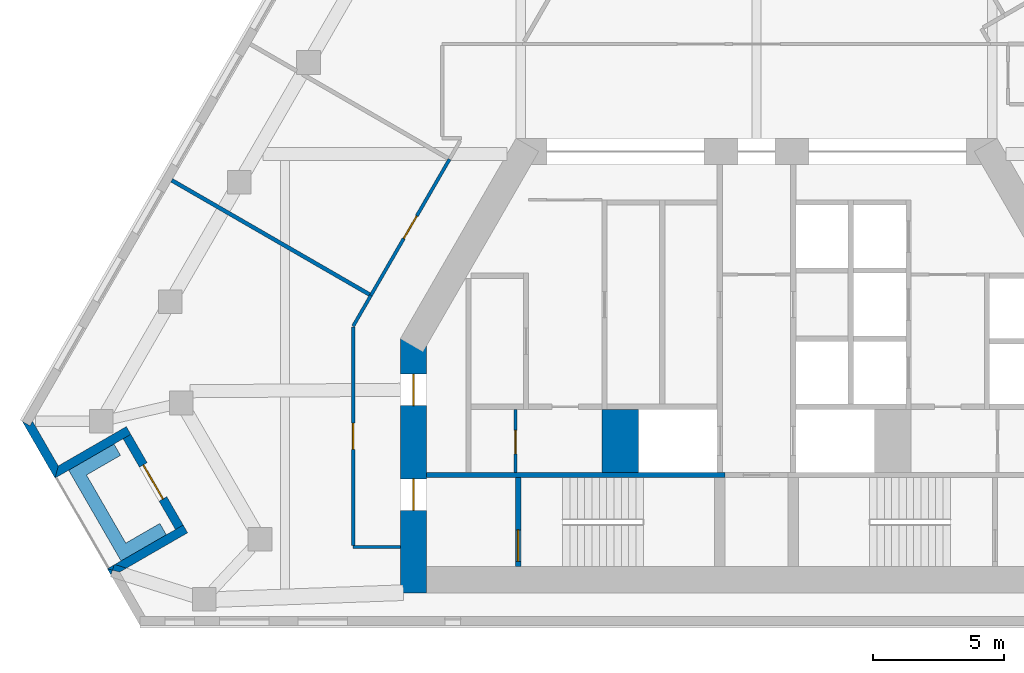
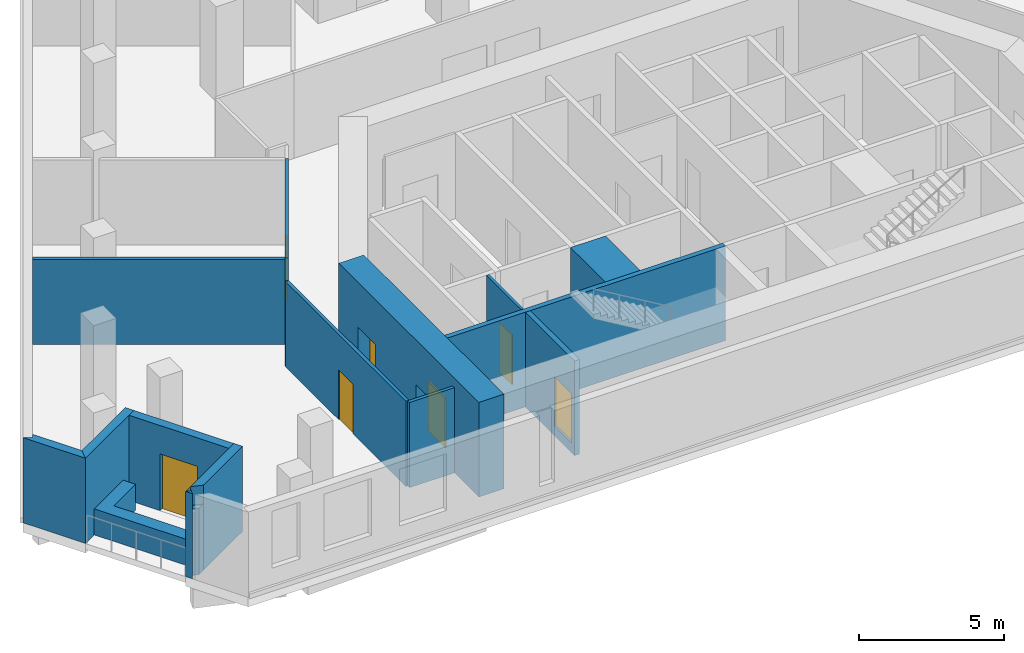
# One storey, part 3 of 9: 18 walls, 7 doors, 7 openings.
"""IFC4 building model written with IfcOpenShell, lengths in metres."""

from ifc_helpers import new_model, si_unit, direction, frame, frame_2d, origin, place, context, subcontext, project, spatial, polyline, rectangle, outline, extrude, material, layer, layer_set, type_object, element, fill, save


model = new_model("IFC4")

# Units and contexts
model_context = context("Model", 3, precision=1e-05, world=origin(), true_north=direction((0.0, 1.0)))
body_context = subcontext(model_context, "Body", "Model", "MODEL_VIEW")
ifc_project = project(units=[si_unit("LENGTHUNIT", "METRE"), si_unit("AREAUNIT", "SQUARE_METRE"), si_unit("VOLUMEUNIT", "CUBIC_METRE"), si_unit("PLANEANGLEUNIT", "RADIAN"), si_unit("MASSUNIT", "GRAM", prefix="KILO")], contexts=[model_context])

# Site, building, storey
site_placement = place(None, origin())
site = spatial("IfcSite", under=ifc_project, at=site_placement, CompositionType="ELEMENT")
building_placement = place(site_placement, origin())
building = spatial("IfcBuilding", under=site, at=building_placement, Name="Fogline Exchange Tower", CompositionType="ELEMENT")
storey_placement = place(building_placement, frame((0.0, 0.0, 182.10009765625)))
storey = spatial("IfcBuildingStorey", under=building, at=storey_placement, Name="L40", CompositionType="ELEMENT", Elevation=182.10009765625)

# Wall, opening, door
ifc_material_1 = material(Name="Blockwork partition", Category="masonry")
ifc_layer_1 = layer(ifc_material_1, 0.10009765625)
ifc_layer_set_1 = layer_set([ifc_layer_1], Name="CW10")
wall_type_1 = type_object("IfcWallType", Name="CW10", PredefinedType="PARTITIONING", material=ifc_layer_set_1)
wall_1_placement = place(storey_placement, frame((-9.199951171875, 5.85009765625, 0.0), z_axis=(0.0, 0.0, 1.0), x_axis=(0.0, 1.0, 0.0)))
wall_1 = element("IfcWall", 1, at=wall_1_placement, inside=storey, type_object=wall_type_1, Name="WC partition", PredefinedType="PARTITIONING", context=body_context, shape_type="SweptSolid", body=[
    extrude(rectangle(XDim=2.39990234375, YDim=0.10009765625, at=frame_2d((1.199951171875, 0.0))), origin(), (0.0, 0.0, 1.0), 3.599853515625),
])
opening_1_placement = place(wall_1_placement, frame((0.699951171875, 0.0, 0.0)))
opening_1 = element("IfcOpeningElement", 2, at=opening_1_placement, cuts=wall_1, Name="Opening T13-C008", PredefinedType="OPENING", context=body_context, shape_type="SweptSolid", body=[
    extrude(rectangle(XDim=0.89990234375, YDim=2.10009765625, at=frame_2d((0.449951171875, 1.050048828125))), frame((0.0, 0.06005859375, 0.0), z_axis=(0.0, -1.0, 0.0), x_axis=(1.0, 0.0, 0.0)), (0.0, 0.0, 1.0), 0.1201171875),
])
ifc_material_2 = material(Name="Steel and timber fire door", Category="steel")
door_type_1 = type_object("IfcDoorType", Name="D-CS1", OperationType="SINGLE_SWING_RIGHT", PredefinedType="DOOR", material=ifc_material_2)
door_1_placement = place(opening_1_placement, origin())
door_1 = element("IfcDoor", 3, at=door_1_placement, inside=storey, type_object=door_type_1, Name="Door to Cleaner's Store", OperationType="SINGLE_SWING_LEFT", OverallHeight=2.10009765625, OverallWidth=0.89990234375, PredefinedType="DOOR", context=body_context, shape_type="SweptSolid", body=[
    extrude(rectangle(XDim=0.89990234375, YDim=2.10009765625, at=frame_2d((0.449951171875, 1.050048828125))), frame((0.0, 0.02490234375, 0.0), z_axis=(0.0, -1.0, 0.0), x_axis=(1.0, 0.0, 0.0)), (0.0, 0.0, 1.0), 0.050048828125),
])
fill(opening_1, door_1)

# Walls
ifc_material_3 = material(Name="Concrete C60", Category="concrete")
ifc_layer_2 = layer(ifc_material_3, 1.39990234375)
ifc_layer_set_2 = layer_set([ifc_layer_2], Name="CW140")
wall_type_2 = type_object("IfcWallType", Name="CW140", PredefinedType="SOLIDWALL", material=ifc_layer_set_2)
wall_2_placement = place(storey_placement, frame((-5.199951171875, 5.85009765625, -0.400146484375), z_axis=(0.0, 0.0, 1.0), x_axis=(0.0, 1.0, 0.0)))
element("IfcWall", 4, at=wall_2_placement, inside=storey, type_object=wall_type_2, Name="Lift shaft block wall", PredefinedType="SOLIDWALL", context=body_context, shape_type="SweptSolid", body=[
    extrude(rectangle(XDim=2.39990234375, YDim=1.39990234375, at=frame_2d((1.199951171875, 0.0))), origin(), (0.0, 0.0, 1.0), 4.0),
])
ifc_material_4 = material(Name="Concrete C40", Category="concrete")
ifc_layer_3 = layer(ifc_material_4, 0.199951171875)
ifc_layer_set_3 = layer_set([ifc_layer_3], Name="CW20R")
wall_type_3 = type_object("IfcWallType", Name="CW20R", PredefinedType="SOLIDWALL", material=ifc_layer_set_3)
wall_3_placement = place(storey_placement, frame((-12.60009765625, 5.75, -0.400146484375), z_axis=(0.0, 0.0, 1.0), x_axis=(1.0, 0.0, 0.0)))
element("IfcWall", 5, at=wall_3_placement, inside=storey, type_object=wall_type_3, Name="Stair enclosure wall", PredefinedType="SOLIDWALL", context=body_context, shape_type="SweptSolid", body=[
    extrude(rectangle(XDim=11.400146484375, YDim=0.199951171875, at=frame_2d((5.7001953125, 0.0))), origin(), (0.0, 0.0, 1.0), 4.0),
])

# Wall, opening, door
wall_4_placement = place(storey_placement, frame((-9.10009765625, 2.25, -0.400146484375), z_axis=(0.0, 0.0, 1.0), x_axis=(0.0, 1.0, 0.0)))
wall_4 = element("IfcWall", 6, at=wall_4_placement, inside=storey, type_object=wall_type_3, Name="Stair enclosure wall", PredefinedType="SOLIDWALL", context=body_context, shape_type="SweptSolid", body=[
    extrude(rectangle(XDim=3.39990234375, YDim=0.199951171875, at=frame_2d((1.699951171875, 0.0))), origin(), (0.0, 0.0, 1.0), 4.0),
])
opening_2_placement = place(wall_4_placement, frame((0.199951171875, 0.0, 0.39990234375)))
opening_2 = element("IfcOpeningElement", 7, at=opening_2_placement, cuts=wall_4, Name="Opening T13-C010", PredefinedType="OPENING", context=body_context, shape_type="SweptSolid", body=[
    extrude(rectangle(XDim=1.199951171875, YDim=2.10009765625, at=frame_2d((0.60009765625, 1.050048828125))), frame((0.0, 0.10986328125, 0.0), z_axis=(0.0, -1.0, 0.0), x_axis=(1.0, 0.0, 0.0)), (0.0, 0.0, 1.0), 0.219970703125),
])
door_type_2 = type_object("IfcDoorType", Name="D-ST1", OperationType="SINGLE_SWING_LEFT", PredefinedType="DOOR", material=ifc_material_2)
door_2_placement = place(opening_2_placement, frame((1.199951171875, 0.0, 0.0), z_axis=(0.0, 0.0, 1.0), x_axis=(-1.0, 0.0, 0.0)))
door_2 = element("IfcDoor", 8, at=door_2_placement, inside=storey, type_object=door_type_2, Name="Stair door ST1", OperationType="SINGLE_SWING_RIGHT", OverallHeight=2.10009765625, OverallWidth=1.199951171875, PredefinedType="DOOR", context=body_context, shape_type="SweptSolid", body=[
    extrude(rectangle(XDim=1.199951171875, YDim=2.10009765625, at=frame_2d((0.60009765625, 1.050048828125))), frame((0.0, 0.02490234375, 0.0), z_axis=(0.0, -1.0, 0.0), x_axis=(1.0, 0.0, 0.0)), (0.0, 0.0, 1.0), 0.050048828125),
])
fill(opening_2, door_2)

# Walls
ifc_material_5 = material(Name="Brick masonry", Category="masonry")
ifc_layer_4 = layer(ifc_material_5, 0.340087890625)
ifc_layer_set_4 = layer_set([ifc_layer_4], Name="FW1")
wall_type_4 = type_object("IfcWallType", Name="FW1", PredefinedType="SOLIDWALL", material=ifc_layer_set_4)
wall_5_placement = place(storey_placement, origin())
element("IfcWall", 9, at=wall_5_placement, inside=storey, type_object=wall_type_4, Name="Brick wall L40 SW-c1", PredefinedType="SOLIDWALL", context=body_context, shape_type="SweptSolid", body=[
    extrude(outline(polyline([(-26.78125, 5.6279296875), (-28.032470703125, 7.794921875), (-28.031982421875, 7.79541015625), (-27.737060546875, 7.625), (-27.638671875, 7.79541015625), (-26.65625, 6.09375), (-26.781005859375, 5.6279296875), (-26.78125, 5.6279296875)])), origin(), (0.0, 0.0, 1.0), 3.599853515625),
])
wall_6_placement = place(storey_placement, origin())
element("IfcWall", 10, at=wall_6_placement, inside=storey, type_object=wall_type_4, Name="Brick wall L40 SW-s1", PredefinedType="SOLIDWALL", context=body_context, shape_type="SweptSolid", body=[
    extrude(outline(polyline([(-24.05859375, 7.594482421875), (-23.887939453125, 7.298828125), (-24.182861328125, 7.128662109375), (-26.781982421875, 5.628173828125), (-26.7822265625, 5.62841796875), (-26.657470703125, 6.093994140625), (-24.05859375, 7.594482421875)])), origin(), (0.0, 0.0, 1.0), 3.599853515625),
])

# Wall, opening, door
wall_7_placement = place(storey_placement, frame((-24.035888671875, 7.214111328125, 0.0), z_axis=(0.0, 0.0, 1.0), x_axis=(0.49999894854, -0.866026010844, 0.0)))
wall_7 = element("IfcWall", 11, at=wall_7_placement, inside=storey, type_object=wall_type_4, Name="Brick wall L40 SW-bk", PredefinedType="SOLIDWALL", context=body_context, shape_type="SweptSolid", body=[
    extrude(rectangle(XDim=4.0, YDim=0.340087890625, at=frame_2d((2.0, 0.0))), origin(), (0.0, 0.0, 1.0), 3.599853515625),
])
opening_3_placement = place(wall_7_placement, frame((1.25, 0.0, 0.0)))
opening_3 = element("IfcOpeningElement", 12, at=opening_3_placement, cuts=wall_7, Name="Opening T13-E021", PredefinedType="OPENING", context=body_context, shape_type="SweptSolid", body=[
    extrude(rectangle(XDim=1.5, YDim=2.39990234375, at=frame_2d((0.75, 1.199951171875))), frame((0.0, 0.18017578125, 0.0), z_axis=(0.0, -1.0, 0.0), x_axis=(1.0, 0.0, 0.0)), (0.0, 0.0, 1.0), 0.360107421875),
])
ifc_material_6 = material(Name="Aluminium and glass", Category="aluminium")
door_type_3 = type_object("IfcDoorType", Name="ED4", OperationType="SINGLE_SWING_LEFT", PredefinedType="DOOR", material=ifc_material_6)
door_3_placement = place(opening_3_placement, frame((1.5, 0.0, 0.0), z_axis=(0.0, 0.0, 1.0), x_axis=(-1.0, 0.0, 0.0)))
door_3 = element("IfcDoor", 13, at=door_3_placement, inside=storey, type_object=door_type_3, Name="Balcony door L40 SW", OperationType="DOUBLE_DOOR_SINGLE_SWING", OverallHeight=2.39990234375, OverallWidth=1.5, PredefinedType="DOOR", context=body_context, shape_type="SweptSolid", body=[
    extrude(rectangle(XDim=1.5, YDim=2.39990234375, at=frame_2d((0.75, 1.199951171875))), frame((0.0, 0.02490234375, 0.0), z_axis=(0.0, -1.0, 0.0), x_axis=(1.0, 0.0, 0.0)), (0.0, 0.0, 1.0), 0.050048828125),
])
fill(opening_3, door_3)

# Walls
wall_8_placement = place(storey_placement, origin())
element("IfcWall", 14, at=wall_8_placement, inside=storey, type_object=wall_type_4, Name="Brick wall L40 SW-s2", PredefinedType="SOLIDWALL", context=body_context, shape_type="SweptSolid", body=[
    extrude(outline(polyline([(-24.498046875, 2.329345703125), (-24.0556640625, 2.190673828125), (-24.31689453125, 2.0400390625), (-24.587158203125, 2.1123046875), (-24.523681640625, 2.314453125), (-24.498046875, 2.329345703125)])), origin(), (0.0, 0.0, 1.0), 2.7998046875),
])
wall_9_placement = place(storey_placement, origin())
element("IfcWall", 15, at=wall_9_placement, inside=storey, type_object=wall_type_4, Name="Brick wall L40 SW-s2", PredefinedType="SOLIDWALL", context=body_context, shape_type="SweptSolid", body=[
    extrude(outline(polyline([(-24.523681640625, 2.314453125), (-24.587158203125, 2.1123046875), (-24.782470703125, 2.164794921875), (-24.782470703125, 2.1650390625), (-24.523681640625, 2.314453125)])), origin(), (0.0, 0.0, 1.0), 3.599853515625),
])
wall_10_placement = place(storey_placement, origin())
element("IfcWall", 16, at=wall_10_placement, inside=storey, type_object=wall_type_4, Name="Brick wall L40 SW-s2", PredefinedType="SOLIDWALL", context=body_context, shape_type="SweptSolid", body=[
    extrude(outline(polyline([(-22.18359375, 3.66552734375), (-21.888671875, 3.8359375), (-21.718017578125, 3.540283203125), (-24.0556640625, 2.190673828125), (-24.498046875, 2.329345703125), (-22.18359375, 3.66552734375)])), origin(), (0.0, 0.0, 1.0), 3.599853515625),
])
wall_11_placement = place(storey_placement, origin())
element("IfcWall", 17, at=wall_11_placement, inside=storey, type_object=wall_type_4, Name="Brick wall L40 SW-c2", PredefinedType="SOLIDWALL", context=body_context, shape_type="SweptSolid", body=[
    extrude(outline(polyline([(-24.782470703125, 2.165771484375), (-24.7822265625, 2.166015625), (-24.586669921875, 2.113525390625), (-24.64501953125, 1.927734375), (-24.782470703125, 2.165771484375)])), origin(), (0.0, 0.0, 1.0), 3.599853515625),
])
ifc_material_7 = material(Name="Concrete C30", Category="concrete")
ifc_layer_5 = layer(ifc_material_7, 0.199951171875)
ifc_layer_set_5 = layer_set([ifc_layer_5], Name="PL1")
wall_type_5 = type_object("IfcWallType", Name="PL1", PredefinedType="USERDEFINED", material=ifc_layer_set_5)
wall_12_placement = place(storey_placement, origin())
element("IfcWall", 18, at=wall_12_placement, inside=storey, type_object=wall_type_5, Name="PLANTER balcony L40 SW", ObjectType="PLANTER", PredefinedType="USERDEFINED", context=body_context, shape_type="SweptSolid", body=[
    extrude(outline(polyline([(-22.779541015625, 3.898193359375), (-24.07861328125, 3.148193359375), (-25.57861328125, 5.74609375), (-24.279541015625, 6.49609375), (-24.529541015625, 6.92919921875), (-26.26171875, 5.92919921875), (-26.01171875, 5.49609375), (-24.26171875, 2.465087890625), (-23.82861328125, 2.715087890625), (-23.82861328125, 2.715087890625), (-22.529541015625, 3.465087890625), (-22.779541015625, 3.898193359375)])), origin(), (0.0, 0.0, 1.0), 1.099853515625),
])

# Wall, opening, door
ifc_material_8 = material(Name="Plasterboard corridor partition with mineral wool, 2 layers each side")
ifc_layer_6 = layer(ifc_material_8, 0.125)
ifc_layer_set_6 = layer_set([ifc_layer_6], Name="PW2")
wall_type_6 = type_object("IfcWallType", Name="PW2", PredefinedType="PARTITIONING", material=ifc_layer_set_6)
wall_13_placement = place(storey_placement, frame((-14.719482421875, 12.606201171875, 0.0), z_axis=(0.0, 0.0, 1.0), x_axis=(0.499990139034, 0.866031096941, 0.0)))
wall_13 = element("IfcWall", 19, at=wall_13_placement, inside=storey, type_object=wall_type_6, Name="wall-L40-W015", PredefinedType="PARTITIONING", context=body_context, shape_type="SweptSolid", body=[
    extrude(rectangle(XDim=6.0, YDim=0.125, at=frame_2d((3.0, 0.0))), origin(), (0.0, 0.0, 1.0), 3.599853515625),
])
opening_4_placement = place(wall_13_placement, frame((2.5, 0.0, 0.0)))
opening_4 = element("IfcOpeningElement", 20, at=opening_4_placement, cuts=wall_13, Name="Opening T13-D006", PredefinedType="OPENING", context=body_context, shape_type="SweptSolid", body=[
    extrude(rectangle(XDim=1.0, YDim=2.10009765625, at=frame_2d((0.5, 1.050048828125))), frame((0.0, 0.072509765625, 0.0), z_axis=(0.0, -1.0, 0.0), x_axis=(1.0, 0.0, 0.0)), (0.0, 0.0, 1.0), 0.14501953125),
])
ifc_material_9 = material(Name="Fire-rated timber door leaf with steel frame", Category="steel")
door_type_4 = type_object("IfcDoorType", Name="D3", OperationType="SINGLE_SWING_LEFT", PredefinedType="DOOR", material=ifc_material_9)
door_4_placement = place(opening_4_placement, origin())
door_4 = element("IfcDoor", 21, at=door_4_placement, inside=storey, type_object=door_type_4, Name="door-L40-D006", OperationType="SINGLE_SWING_LEFT", OverallHeight=2.10009765625, OverallWidth=1.0, PredefinedType="DOOR", context=body_context, shape_type="SweptSolid", body=[
    extrude(rectangle(XDim=1.0, YDim=2.10009765625, at=frame_2d((0.5, 1.050048828125))), frame((0.0, 0.02490234375, 0.0), z_axis=(0.0, -1.0, 0.0), x_axis=(1.0, 0.0, 0.0)), (0.0, 0.0, 1.0), 0.050048828125),
])
fill(opening_4, door_4)

# Wall
wall_14_placement = place(storey_placement, frame((-13.60009765625, 3.0, 0.0), z_axis=(0.0, 0.0, 1.0), x_axis=(-1.0, 0.0, 0.0)))
element("IfcWall", 22, at=wall_14_placement, inside=storey, type_object=wall_type_6, Name="wall-L40-W016", PredefinedType="PARTITIONING", context=body_context, shape_type="SweptSolid", body=[
    extrude(rectangle(XDim=1.7998046875, YDim=0.125, at=frame_2d((0.89990234375, 0.0))), origin(), (0.0, 0.0, 1.0), 3.599853515625),
])

# Wall, opening, door
wall_15_placement = place(storey_placement, frame((-15.39990234375, 3.0625, 0.0), z_axis=(0.0, 0.0, 1.0), x_axis=(0.0, 1.0, 0.0)))
wall_15 = element("IfcWall", 23, at=wall_15_placement, inside=storey, type_object=wall_type_6, Name="wall-L40-W017", PredefinedType="PARTITIONING", context=body_context, shape_type="SweptSolid", body=[
    extrude(rectangle(XDim=8.334228515625, YDim=0.125, at=frame_2d((4.1669921875, 0.0))), origin(), (0.0, 0.0, 1.0), 3.599853515625),
])
opening_5_placement = place(wall_15_placement, frame((3.6669921875, 0.0, 0.0)))
opening_5 = element("IfcOpeningElement", 24, at=opening_5_placement, cuts=wall_15, Name="Opening T13-D007", PredefinedType="OPENING", context=body_context, shape_type="SweptSolid", body=[
    extrude(rectangle(XDim=1.0, YDim=2.10009765625, at=frame_2d((0.5, 1.050048828125))), frame((0.0, 0.072509765625, 0.0), z_axis=(0.0, -1.0, 0.0), x_axis=(1.0, 0.0, 0.0)), (0.0, 0.0, 1.0), 0.14501953125),
])
door_5_placement = place(opening_5_placement, origin())
door_5 = element("IfcDoor", 25, at=door_5_placement, inside=storey, type_object=door_type_4, Name="door-L40-D007", OperationType="SINGLE_SWING_LEFT", OverallHeight=2.10009765625, OverallWidth=1.0, PredefinedType="DOOR", context=body_context, shape_type="SweptSolid", body=[
    extrude(rectangle(XDim=1.0, YDim=2.10009765625, at=frame_2d((0.5, 1.050048828125))), frame((0.0, 0.02490234375, 0.0), z_axis=(0.0, -1.0, 0.0), x_axis=(1.0, 0.0, 0.0)), (0.0, 0.0, 1.0), 0.050048828125),
])
fill(opening_5, door_5)

# Walls
wall_16_placement = place(storey_placement, frame((-15.39990234375, 11.427734375, 0.0), z_axis=(0.0, 0.0, 1.0), x_axis=(0.500017526161, 0.866015284814, 0.0)))
element("IfcWall", 26, at=wall_16_placement, inside=storey, type_object=wall_type_6, Name="wall-L40-W018", PredefinedType="PARTITIONING", context=body_context, shape_type="SweptSolid", body=[
    extrude(rectangle(XDim=1.36083984375, YDim=0.125, at=frame_2d((0.680419921875, 0.0))), origin(), (0.0, 0.0, 1.0), 3.599853515625),
])
ifc_material_10 = material(Name="Plasterboard demising partition with mineral wool and acoustic board")
ifc_layer_7 = layer(ifc_material_10, 0.14990234375)
ifc_layer_set_7 = layer_set([ifc_layer_7], Name="PW3")
wall_type_7 = type_object("IfcWallType", Name="PW3", PredefinedType="PARTITIONING", material=ifc_layer_set_7)
wall_17_placement = place(storey_placement, frame((-14.773681640625, 12.637451171875, 0.0), z_axis=(0.0, 0.0, 1.0), x_axis=(-0.866025660521, 0.499999555319, 0.0)))
element("IfcWall", 27, at=wall_17_placement, inside=storey, type_object=wall_type_7, Name="wall-L40-W041", PredefinedType="PARTITIONING", context=body_context, shape_type="SweptSolid", body=[
    extrude(rectangle(XDim=8.7197265625, YDim=0.14990234375, at=frame_2d((4.35986328125, 0.0))), origin(), (0.0, 0.0, 1.0), 3.599853515625),
])

# Wall, openings, doors
ifc_layer_8 = layer(ifc_material_3, 1.0)
ifc_layer_set_8 = layer_set([ifc_layer_8], Name="SW03")
wall_type_8 = type_object("IfcWallType", Name="SW03", PredefinedType="SHEAR", material=ifc_layer_set_8)
wall_18_placement = place(storey_placement, frame((-13.10009765625, 10.9453125, 0.0), z_axis=(0.0, 0.0, 1.0), x_axis=(0.0, -1.0, 0.0)))
wall_18 = element("IfcWall", 28, at=wall_18_placement, inside=storey, type_object=wall_type_8, Name="L40-W906", PredefinedType="SHEAR", context=body_context, shape_type="SweptSolid", body=[
    extrude(rectangle(XDim=9.6953125, YDim=1.0, at=frame_2d((4.84765625, 0.0))), origin(), (0.0, 0.0, 1.0), 4.0),
])
opening_6_placement = place(wall_18_placement, frame((5.345458984375, 0.0, 0.0)))
opening_6 = element("IfcOpeningElement", 29, at=opening_6_placement, cuts=wall_18, Name="Opening T13-C009", PredefinedType="OPENING", context=body_context, shape_type="SweptSolid", body=[
    extrude(rectangle(XDim=1.199951171875, YDim=2.10009765625, at=frame_2d((0.60009765625, 1.050048828125))), frame((0.0, 0.510009765625, 0.0), z_axis=(0.0, -1.0, 0.0), x_axis=(1.0, 0.0, 0.0)), (0.0, 0.0, 1.0), 1.02001953125),
])
opening_7_placement = place(wall_18_placement, frame((1.345458984375, 0.0, 0.0)))
opening_7 = element("IfcOpeningElement", 30, at=opening_7_placement, cuts=wall_18, Name="Opening T13-C011", PredefinedType="OPENING", context=body_context, shape_type="SweptSolid", body=[
    extrude(rectangle(XDim=1.199951171875, YDim=2.10009765625, at=frame_2d((0.60009765625, 1.050048828125))), frame((0.0, 0.510009765625, 0.0), z_axis=(0.0, -1.0, 0.0), x_axis=(1.0, 0.0, 0.0)), (0.0, 0.0, 1.0), 1.02001953125),
])
door_type_5 = type_object("IfcDoorType", Name="D-FR1", OperationType="SINGLE_SWING_RIGHT", PredefinedType="DOOR", material=ifc_material_2)
door_6_placement = place(opening_6_placement, origin())
door_6 = element("IfcDoor", 31, at=door_6_placement, inside=storey, type_object=door_type_5, Name="Front room door ST1", OperationType="SINGLE_SWING_LEFT", OverallHeight=2.10009765625, OverallWidth=1.199951171875, PredefinedType="DOOR", context=body_context, shape_type="SweptSolid", body=[
    extrude(rectangle(XDim=1.199951171875, YDim=2.10009765625, at=frame_2d((0.60009765625, 1.050048828125))), frame((0.0, 0.02490234375, 0.0), z_axis=(0.0, -1.0, 0.0), x_axis=(1.0, 0.0, 0.0)), (0.0, 0.0, 1.0), 0.050048828125),
])
fill(opening_6, door_6)
door_type_6 = type_object("IfcDoorType", Name="D-SV1", OperationType="SINGLE_SWING_LEFT", PredefinedType="DOOR", material=ifc_material_2)
door_7_placement = place(opening_7_placement, origin())
door_7 = element("IfcDoor", 32, at=door_7_placement, inside=storey, type_object=door_type_6, Name="Service door W", OperationType="SINGLE_SWING_LEFT", OverallHeight=2.10009765625, OverallWidth=1.199951171875, PredefinedType="DOOR", context=body_context, shape_type="SweptSolid", body=[
    extrude(rectangle(XDim=1.199951171875, YDim=2.10009765625, at=frame_2d((0.60009765625, 1.050048828125))), frame((0.0, 0.02490234375, 0.0), z_axis=(0.0, -1.0, 0.0), x_axis=(1.0, 0.0, 0.0)), (0.0, 0.0, 1.0), 0.050048828125),
])
fill(opening_7, door_7)

save(model, "model.ifc")
